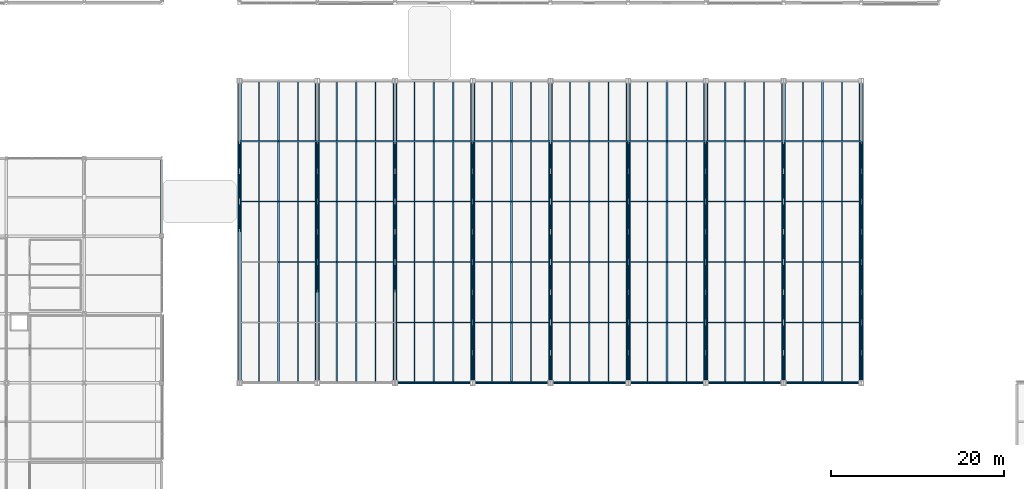
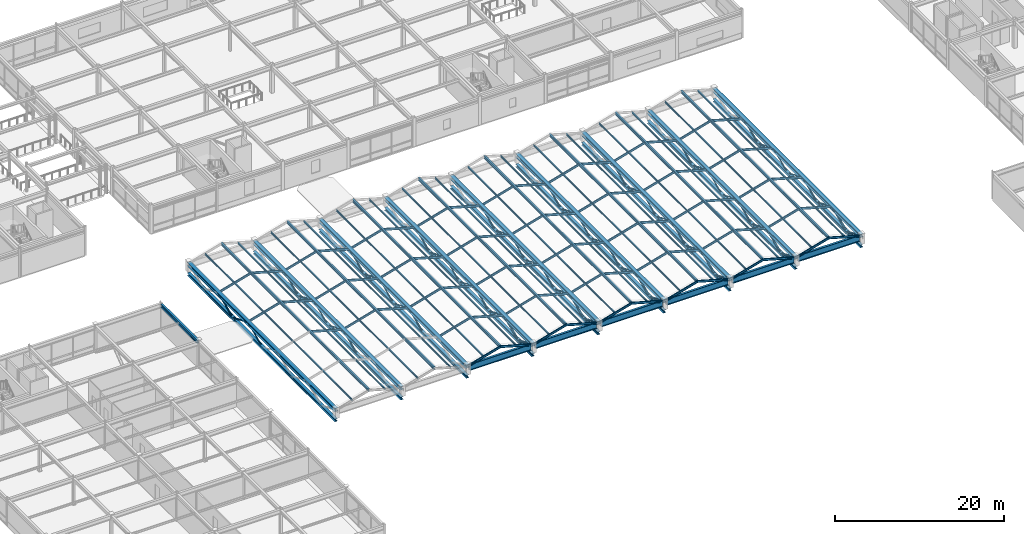
# One storey, part 32 of 108: 156 members, 25 beams.
"""IFC4 building model written with IfcOpenShell, lengths in metres."""

from ifc_helpers import new_model, si_unit, direction, frame, origin, origin_2d, place, context, subcontext, project, spatial, hollow_circle, i_section, extrude, material, material_profile, profile_set, type_object, element, save


model = new_model("IFC4")

# Units and contexts
model_context = context("Model", 3, precision=1e-05, world=origin(), true_north=direction((0.0, 1.0)))
body_context = subcontext(model_context, "Body", "Model", "MODEL_VIEW")
ifc_project = project(units=[si_unit("LENGTHUNIT", "METRE"), si_unit("AREAUNIT", "SQUARE_METRE"), si_unit("VOLUMEUNIT", "CUBIC_METRE"), si_unit("PLANEANGLEUNIT", "RADIAN"), si_unit("MASSUNIT", "GRAM", prefix="KILO")], contexts=[model_context])

# Site, building, storey
site_placement = place(None, origin())
site = spatial("IfcSite", under=ifc_project, at=site_placement, CompositionType="ELEMENT")
building_placement = place(site_placement, origin())
building = spatial("IfcBuilding", under=site, at=building_placement, Name="Suzunagisa Mobility Hub", CompositionType="ELEMENT")
storey_placement = place(building_placement, frame((0.0, 0.0, 9.300048828125)))
storey = spatial("IfcBuildingStorey", under=building, at=storey_placement, Name="L02", CompositionType="ELEMENT", Elevation=9.300048828125)

# Members
ifc_material_1 = material(Name="Steel SN490B", Category="steel")
ifc_material_profile_1 = material_profile(ifc_material_1, hollow_circle(Radius=0.108154296875, WallThickness=0.00830078125, at=origin_2d()), Name="CHS-216.3x8.2")
ifc_profile_set_1 = profile_set([ifc_material_profile_1], Name="Steel SN490B")
member_type_1 = type_object("IfcMemberType", Name="Roof Truss and Brace Member MB-01 CHS-216.3x8.2", PredefinedType="STRUT", material=ifc_profile_set_1)
for number, where, z_axis, x_axis, name in (
    (1, (45.0, 57.0, 1.0537109375), (0.0, 0.919145030018, -0.393919298579), (-1.0, 0.0, 0.0), "Secondary Sub-Truss Web 7"),
    (2, (45.0, 60.5, -0.4462890625), (0.0, 0.919145030018, 0.393919298579), (-1.0, 0.0, 0.0), "Secondary Sub-Truss Web 8"),
    (3, (54.0, 46.5, -0.4462890625), (0.0, 0.919145030018, 0.393919298579), (-1.0, 0.0, 0.0), "Secondary Sub-Truss Web 14"),
    (4, (54.0, 57.0, 1.0537109375), (0.0, 0.919145030018, -0.393919298579), (-1.0, 0.0, 0.0), "Secondary Sub-Truss Web 17"),
    (5, (54.0, 60.5, -0.4462890625), (0.0, 0.919145030018, 0.393919298579), (-1.0, 0.0, 0.0), "Secondary Sub-Truss Web 18"),
    (6, (63.0, 46.5, -0.4462890625), (0.0, 0.919145030018, 0.393919298579), (-1.0, 0.0, 0.0), "Secondary Sub-Truss Web 24"),
    (7, (63.0, 57.0, 1.0537109375), (0.0, 0.919145030018, -0.393919298579), (-1.0, 0.0, 0.0), "Secondary Sub-Truss Web 27"),
    (8, (63.0, 60.5, -0.4462890625), (0.0, 0.919145030018, 0.393919298579), (-1.0, 0.0, 0.0), "Secondary Sub-Truss Web 28"),
    (9, (72.0, 43.0, 1.0537109375), (0.0, 0.919145030018, -0.393919298579), (-1.0, 0.0, 0.0), "Secondary Sub-Truss Web 33"),
    (10, (72.0, 46.5, -0.4462890625), (0.0, 0.919145030018, 0.393919298579), (-1.0, 0.0, 0.0), "Secondary Sub-Truss Web 34"),
    (11, (72.0, 57.0, 1.0537109375), (0.0, 0.919145030018, -0.393919298579), (-1.0, 0.0, 0.0), "Secondary Sub-Truss Web 37"),
    (12, (72.0, 60.5, -0.4462890625), (0.0, 0.919145030018, 0.393919298579), (-1.0, 0.0, 0.0), "Secondary Sub-Truss Web 38"),
    (13, (81.0, 43.0, 1.0537109375), (0.0, 0.919145030018, -0.393919298579), (-1.0, 0.0, 0.0), "Secondary Sub-Truss Web 43"),
    (14, (81.0, 46.5, -0.4462890625), (0.0, 0.919145030018, 0.393919298579), (-1.0, 0.0, 0.0), "Secondary Sub-Truss Web 44"),
    (15, (81.0, 57.0, 1.0537109375), (0.0, 0.919145030018, -0.393919298579), (-1.0, 0.0, 0.0), "Secondary Sub-Truss Web 47"),
    (16, (81.0, 60.5, -0.4462890625), (0.0, 0.919145030018, 0.393919298579), (-1.0, 0.0, 0.0), "Secondary Sub-Truss Web 48"),
    (17, (90.0, 43.0, 1.0537109375), (0.0, 0.919145030018, -0.393919298579), (-1.0, 0.0, 0.0), "Secondary Sub-Truss Web 53"),
    (18, (90.0, 46.5, -0.4462890625), (0.0, 0.919145030018, 0.393919298579), (-1.0, 0.0, 0.0), "Secondary Sub-Truss Web 54"),
    (19, (90.0, 57.0, 1.0537109375), (0.0, 0.919145030018, -0.393919298579), (-1.0, 0.0, 0.0), "Secondary Sub-Truss Web 57"),
    (20, (90.0, 60.5, -0.4462890625), (0.0, 0.919145030018, 0.393919298579), (-1.0, 0.0, 0.0), "Secondary Sub-Truss Web 58"),
    (21, (99.0, 43.0, 1.0537109375), (0.0, 0.919145030018, -0.393919298579), (-1.0, 0.0, 0.0), "Secondary Sub-Truss Web 63"),
    (22, (99.0, 46.5, -0.4462890625), (0.0, 0.919145030018, 0.393919298579), (-1.0, 0.0, 0.0), "Secondary Sub-Truss Web 64"),
    (23, (99.0, 57.0, 1.0537109375), (0.0, 0.919145030018, -0.393919298579), (-1.0, 0.0, 0.0), "Secondary Sub-Truss Web 67"),
    (24, (99.0, 60.5, -0.4462890625), (0.0, 0.919145030018, 0.393919298579), (-1.0, 0.0, 0.0), "Secondary Sub-Truss Web 68"),
    (25, (108.0, 43.0, 1.0537109375), (0.0, 0.919145030018, -0.393919298579), (-1.0, 0.0, 0.0), "Secondary Sub-Truss Web 73"),
    (26, (108.0, 46.5, -0.4462890625), (0.0, 0.919145030018, 0.393919298579), (-1.0, 0.0, 0.0), "Secondary Sub-Truss Web 74"),
    (27, (108.0, 57.0, 1.0537109375), (0.0, 0.919145030018, -0.393919298579), (-1.0, 0.0, 0.0), "Secondary Sub-Truss Web 77"),
    (28, (108.0, 60.5, -0.4462890625), (0.0, 0.919145030018, 0.393919298579), (-1.0, 0.0, 0.0), "Secondary Sub-Truss Web 78"),
    (29, (117.0, 43.0, 1.0537109375), (0.0, 0.919145030018, -0.393919298579), (-1.0, 0.0, 0.0), "Secondary Sub-Truss Web 83"),
    (30, (117.0, 46.5, -0.4462890625), (0.0, 0.919145030018, 0.393919298579), (-1.0, 0.0, 0.0), "Secondary Sub-Truss Web 84"),
    (31, (117.0, 57.0, 1.0537109375), (0.0, 0.919145030018, -0.393919298579), (-1.0, 0.0, 0.0), "Secondary Sub-Truss Web 87"),
    (32, (117.0, 60.5, -0.4462890625), (0.0, 0.919145030018, 0.393919298579), (-1.0, 0.0, 0.0), "Secondary Sub-Truss Web 88"),
):
    element("IfcMember", number, at=place(storey_placement, frame(where, z_axis=z_axis, x_axis=x_axis)), inside=storey, type_object=member_type_1, Name=name, PredefinedType="STRUT", context=body_context, shape_type="SweptSolid", body=[
        extrude(hollow_circle(Radius=0.108154296875, WallThickness=0.00830078125, at=origin_2d()), origin(), (0.0, 0.0, 1.0), 3.807861328125),
    ])
ifc_material_profile_2 = material_profile(ifc_material_1, hollow_circle(Radius=0.1337890625, WallThickness=0.00927734375, at=origin_2d()), Name="CHS-267.4x9.3")
ifc_profile_set_2 = profile_set([ifc_material_profile_2], Name="Steel SN490B")
member_type_2 = type_object("IfcMemberType", Name="Roof Truss and Brace Member MB-02 CHS-267.4x9.3", PredefinedType="STRUT", material=ifc_profile_set_2)
for number, where, z_axis, x_axis, name in (
    (33, (72.0, 36.0, 1.0537109375), (0.0, 0.919145030018, -0.393919298579), (-1.0, 0.0, 0.0), "Secondary Sub-Truss Web 31"),
    (34, (72.0, 39.5, -0.4462890625), (0.0, 0.919145030018, 0.393919298579), (-1.0, 0.0, 0.0), "Secondary Sub-Truss Web 32"),
    (35, (81.0, 36.0, 1.0537109375), (0.0, 0.919145030018, -0.393919298579), (-1.0, 0.0, 0.0), "Secondary Sub-Truss Web 41"),
    (36, (81.0, 39.5, -0.4462890625), (0.0, 0.919145030018, 0.393919298579), (-1.0, 0.0, 0.0), "Secondary Sub-Truss Web 42"),
    (37, (90.0, 36.0, 1.0537109375), (0.0, 0.919145030018, -0.393919298579), (-1.0, 0.0, 0.0), "Secondary Sub-Truss Web 51"),
    (38, (90.0, 39.5, -0.4462890625), (0.0, 0.919145030018, 0.393919298579), (-1.0, 0.0, 0.0), "Secondary Sub-Truss Web 52"),
    (39, (99.0, 36.0, 1.0537109375), (0.0, 0.919145030018, -0.393919298579), (-1.0, 0.0, 0.0), "Secondary Sub-Truss Web 61"),
    (40, (99.0, 39.5, -0.4462890625), (0.0, 0.919145030018, 0.393919298579), (-1.0, 0.0, 0.0), "Secondary Sub-Truss Web 62"),
    (41, (108.0, 36.0, 1.0537109375), (0.0, 0.919145030018, -0.393919298579), (-1.0, 0.0, 0.0), "Secondary Sub-Truss Web 71"),
    (42, (108.0, 39.5, -0.4462890625), (0.0, 0.919145030018, 0.393919298579), (-1.0, 0.0, 0.0), "Secondary Sub-Truss Web 72"),
    (43, (117.0, 36.0, 1.0537109375), (0.0, 0.919145030018, -0.393919298579), (-1.0, 0.0, 0.0), "Secondary Sub-Truss Web 81"),
    (44, (117.0, 39.5, -0.4462890625), (0.0, 0.919145030018, 0.393919298579), (-1.0, 0.0, 0.0), "Secondary Sub-Truss Web 82"),
):
    element("IfcMember", number, at=place(storey_placement, frame(where, z_axis=z_axis, x_axis=x_axis)), inside=storey, type_object=member_type_2, Name=name, PredefinedType="STRUT", context=body_context, shape_type="SweptSolid", body=[
        extrude(hollow_circle(Radius=0.1337890625, WallThickness=0.00927734375, at=origin_2d()), origin(), (0.0, 0.0, 1.0), 3.807861328125),
    ])
ifc_material_profile_3 = material_profile(ifc_material_1, i_section(OverallWidth=0.199951171875, OverallDepth=0.39990234375, WebThickness=0.008056640625, FlangeThickness=0.012939453125, FilletRadius=0.012939453125, at=origin_2d()), Name="H-400x200x8x13")
ifc_profile_set_3 = profile_set([ifc_material_profile_3], Name="Steel SN490B")
member_type_3 = type_object("IfcMemberType", Name="Roof Truss and Brace Member MB-05 H-400x200x8x13", PredefinedType="CHORD", material=ifc_profile_set_3)
for number, where, z_axis, x_axis, name in (
    (45, (49.5, 36.0, 2.332763671875), (0.0, 1.0, 0.0), (-1.0, 0.0, 0.0), "Folded-Plate Roof Truss Ridge Chord 1"),
    (46, (58.5, 36.0, 2.332763671875), (0.0, 1.0, 0.0), (-1.0, 0.0, 0.0), "Folded-Plate Roof Truss Ridge Chord 2"),
    (47, (67.5, 36.0, 2.332763671875), (0.0, 1.0, 0.0), (-1.0, 0.0, 0.0), "Folded-Plate Roof Truss Ridge Chord 3"),
    (48, (76.5, 36.0, 2.332763671875), (0.0, 1.0, 0.0), (-1.0, 0.0, 0.0), "Folded-Plate Roof Truss Ridge Chord 4"),
    (49, (85.5, 36.0, 2.332763671875), (0.0, 1.0, 0.0), (-1.0, 0.0, 0.0), "Folded-Plate Roof Truss Ridge Chord 5"),
    (50, (94.5, 36.0, 2.332763671875), (0.0, 1.0, 0.0), (-1.0, 0.0, 0.0), "Folded-Plate Roof Truss Ridge Chord 6"),
    (51, (103.5, 36.0, 2.332763671875), (0.0, 1.0, 0.0), (-1.0, 0.0, 0.0), "Folded-Plate Roof Truss Ridge Chord 7"),
    (52, (112.5, 36.0, 2.332763671875), (0.0, 1.0, 0.0), (-1.0, 0.0, 0.0), "Folded-Plate Roof Truss Ridge Chord 8"),
):
    element("IfcMember", number, at=place(storey_placement, frame(where, z_axis=z_axis, x_axis=x_axis)), inside=storey, type_object=member_type_3, Name=name, PredefinedType="CHORD", context=body_context, shape_type="SweptSolid", body=[
        extrude(i_section(OverallWidth=0.199951171875, OverallDepth=0.39990234375, WebThickness=0.008056640625, FlangeThickness=0.012939453125, FilletRadius=0.012939453125, at=origin_2d()), origin(), (0.0, 0.0, 1.0), 35.0),
    ])
ifc_material_2 = material(Name="Steel SN400B", Category="steel")
ifc_material_profile_4 = material_profile(ifc_material_2, i_section(OverallWidth=0.14990234375, OverallDepth=0.300048828125, WebThickness=0.006591796875, FlangeThickness=0.009033203125, FilletRadius=0.008056640625, at=origin_2d()), Name="H-300x150x6.5x9")
ifc_profile_set_4 = profile_set([ifc_material_profile_4], Name="Steel SN400B")
member_type_4 = type_object("IfcMemberType", Name="Roof Truss and Brace Member MB-08 H-300x150x6.5x9", PredefinedType="RAFTER", material=ifc_profile_set_4)
for number, where, z_axis, x_axis, name in (
    (53, (54.0, 50.0, 1.0537109375), (-0.961899182139, 0.0, 0.273404395357), (0.0, -1.0, 0.0), "Secondary Roof Sub-Rafter 97"),
    (54, (45.0, 57.0, 1.0537109375), (0.961899182139, 0.0, 0.273404395357), (0.0, 1.0, 0.0), "Secondary Roof Sub-Rafter 98"),
    (55, (54.0, 57.0, 1.0537109375), (-0.961899182139, 0.0, 0.273404395357), (0.0, -1.0, 0.0), "Secondary Roof Sub-Rafter 99"),
    (56, (45.0, 64.0, 1.0537109375), (0.961899182139, 0.0, 0.273404395357), (0.0, 1.0, 0.0), "Secondary Roof Sub-Rafter 100"),
    (57, (54.0, 64.0, 1.0537109375), (-0.961899182139, 0.0, 0.273404395357), (0.0, -1.0, 0.0), "Secondary Roof Sub-Rafter 101"),
    (58, (54.0, 50.0, 1.0537109375), (0.961899182139, 0.0, 0.273404395357), (0.0, 1.0, 0.0), "Secondary Roof Sub-Rafter 111"),
    (59, (63.0, 50.0, 1.0537109375), (-0.961899182139, 0.0, 0.273404395357), (0.0, -1.0, 0.0), "Secondary Roof Sub-Rafter 112"),
    (60, (54.0, 57.0, 1.0537109375), (0.961899182139, 0.0, 0.273404395357), (0.0, 1.0, 0.0), "Secondary Roof Sub-Rafter 113"),
    (61, (63.0, 57.0, 1.0537109375), (-0.961899182139, 0.0, 0.273404395357), (0.0, -1.0, 0.0), "Secondary Roof Sub-Rafter 114"),
    (62, (54.0, 64.0, 1.0537109375), (0.961899182139, 0.0, 0.273404395357), (0.0, 1.0, 0.0), "Secondary Roof Sub-Rafter 115"),
    (63, (63.0, 64.0, 1.0537109375), (-0.961899182139, 0.0, 0.273404395357), (0.0, -1.0, 0.0), "Secondary Roof Sub-Rafter 116"),
    (64, (63.0, 36.0, 1.0537109375), (0.961899182139, 0.0, 0.273404395357), (0.0, 1.0, 0.0), "Secondary Roof Sub-Rafter 122"),
    (65, (72.0, 36.0, 1.0537109375), (-0.961899182139, 0.0, 0.273404395357), (0.0, -1.0, 0.0), "Secondary Roof Sub-Rafter 123"),
    (66, (63.0, 43.0, 1.0537109375), (0.961899182139, 0.0, 0.273404395357), (0.0, 1.0, 0.0), "Secondary Roof Sub-Rafter 124"),
    (67, (72.0, 43.0, 1.0537109375), (-0.961899182139, 0.0, 0.273404395357), (0.0, -1.0, 0.0), "Secondary Roof Sub-Rafter 125"),
    (68, (63.0, 50.0, 1.0537109375), (0.961899182139, 0.0, 0.273404395357), (0.0, 1.0, 0.0), "Secondary Roof Sub-Rafter 126"),
    (69, (72.0, 50.0, 1.0537109375), (-0.961899182139, 0.0, 0.273404395357), (0.0, -1.0, 0.0), "Secondary Roof Sub-Rafter 127"),
    (70, (63.0, 57.0, 1.0537109375), (0.961899182139, 0.0, 0.273404395357), (0.0, 1.0, 0.0), "Secondary Roof Sub-Rafter 128"),
    (71, (72.0, 57.0, 1.0537109375), (-0.961899182139, 0.0, 0.273404395357), (0.0, -1.0, 0.0), "Secondary Roof Sub-Rafter 129"),
    (72, (63.0, 64.0, 1.0537109375), (0.961899182139, 0.0, 0.273404395357), (0.0, 1.0, 0.0), "Secondary Roof Sub-Rafter 130"),
    (73, (72.0, 64.0, 1.0537109375), (-0.961899182139, 0.0, 0.273404395357), (0.0, -1.0, 0.0), "Secondary Roof Sub-Rafter 131"),
    (74, (72.0, 36.0, 1.0537109375), (0.961899182139, 0.0, 0.273404395357), (0.0, 1.0, 0.0), "Secondary Roof Sub-Rafter 137"),
    (75, (81.0, 36.0, 1.0537109375), (-0.961899182139, 0.0, 0.273404395357), (0.0, -1.0, 0.0), "Secondary Roof Sub-Rafter 138"),
    (76, (72.0, 43.0, 1.0537109375), (0.961899182139, 0.0, 0.273404395357), (0.0, 1.0, 0.0), "Secondary Roof Sub-Rafter 139"),
    (77, (81.0, 43.0, 1.0537109375), (-0.961899182139, 0.0, 0.273404395357), (0.0, -1.0, 0.0), "Secondary Roof Sub-Rafter 140"),
    (78, (72.0, 50.0, 1.0537109375), (0.961899182139, 0.0, 0.273404395357), (0.0, 1.0, 0.0), "Secondary Roof Sub-Rafter 141"),
    (79, (81.0, 50.0, 1.0537109375), (-0.961899182139, 0.0, 0.273404395357), (0.0, -1.0, 0.0), "Secondary Roof Sub-Rafter 142"),
    (80, (72.0, 57.0, 1.0537109375), (0.961899182139, 0.0, 0.273404395357), (0.0, 1.0, 0.0), "Secondary Roof Sub-Rafter 143"),
    (81, (81.0, 57.0, 1.0537109375), (-0.961899182139, 0.0, 0.273404395357), (0.0, -1.0, 0.0), "Secondary Roof Sub-Rafter 144"),
    (82, (72.0, 64.0, 1.0537109375), (0.961899182139, 0.0, 0.273404395357), (0.0, 1.0, 0.0), "Secondary Roof Sub-Rafter 145"),
    (83, (81.0, 64.0, 1.0537109375), (-0.961899182139, 0.0, 0.273404395357), (0.0, -1.0, 0.0), "Secondary Roof Sub-Rafter 146"),
    (84, (81.0, 36.0, 1.0537109375), (0.961899182139, 0.0, 0.273404395357), (0.0, 1.0, 0.0), "Secondary Roof Sub-Rafter 152"),
    (85, (90.0, 36.0, 1.0537109375), (-0.961899182139, 0.0, 0.273404395357), (0.0, -1.0, 0.0), "Secondary Roof Sub-Rafter 153"),
    (86, (81.0, 43.0, 1.0537109375), (0.961899182139, 0.0, 0.273404395357), (0.0, 1.0, 0.0), "Secondary Roof Sub-Rafter 154"),
    (87, (90.0, 43.0, 1.0537109375), (-0.961899182139, 0.0, 0.273404395357), (0.0, -1.0, 0.0), "Secondary Roof Sub-Rafter 155"),
    (88, (81.0, 50.0, 1.0537109375), (0.961899182139, 0.0, 0.273404395357), (0.0, 1.0, 0.0), "Secondary Roof Sub-Rafter 156"),
    (89, (90.0, 50.0, 1.0537109375), (-0.961899182139, 0.0, 0.273404395357), (0.0, -1.0, 0.0), "Secondary Roof Sub-Rafter 157"),
    (90, (81.0, 57.0, 1.0537109375), (0.961899182139, 0.0, 0.273404395357), (0.0, 1.0, 0.0), "Secondary Roof Sub-Rafter 158"),
    (91, (90.0, 57.0, 1.0537109375), (-0.961899182139, 0.0, 0.273404395357), (0.0, -1.0, 0.0), "Secondary Roof Sub-Rafter 159"),
    (92, (81.0, 64.0, 1.0537109375), (0.961899182139, 0.0, 0.273404395357), (0.0, 1.0, 0.0), "Secondary Roof Sub-Rafter 160"),
    (93, (90.0, 64.0, 1.0537109375), (-0.961899182139, 0.0, 0.273404395357), (0.0, -1.0, 0.0), "Secondary Roof Sub-Rafter 161"),
    (94, (90.0, 36.0, 1.0537109375), (0.961899182139, 0.0, 0.273404395357), (0.0, 1.0, 0.0), "Secondary Roof Sub-Rafter 167"),
    (95, (99.0, 36.0, 1.0537109375), (-0.961899182139, 0.0, 0.273404395357), (0.0, -1.0, 0.0), "Secondary Roof Sub-Rafter 168"),
    (96, (90.0, 43.0, 1.0537109375), (0.961899182139, 0.0, 0.273404395357), (0.0, 1.0, 0.0), "Secondary Roof Sub-Rafter 169"),
    (97, (99.0, 43.0, 1.0537109375), (-0.961899182139, 0.0, 0.273404395357), (0.0, -1.0, 0.0), "Secondary Roof Sub-Rafter 170"),
    (98, (90.0, 50.0, 1.0537109375), (0.961899182139, 0.0, 0.273404395357), (0.0, 1.0, 0.0), "Secondary Roof Sub-Rafter 171"),
    (99, (99.0, 50.0, 1.0537109375), (-0.961899182139, 0.0, 0.273404395357), (0.0, -1.0, 0.0), "Secondary Roof Sub-Rafter 172"),
    (100, (90.0, 57.0, 1.0537109375), (0.961899182139, 0.0, 0.273404395357), (0.0, 1.0, 0.0), "Secondary Roof Sub-Rafter 173"),
    (101, (99.0, 57.0, 1.0537109375), (-0.961899182139, 0.0, 0.273404395357), (0.0, -1.0, 0.0), "Secondary Roof Sub-Rafter 174"),
    (102, (90.0, 64.0, 1.0537109375), (0.961899182139, 0.0, 0.273404395357), (0.0, 1.0, 0.0), "Secondary Roof Sub-Rafter 175"),
    (103, (99.0, 64.0, 1.0537109375), (-0.961899182139, 0.0, 0.273404395357), (0.0, -1.0, 0.0), "Secondary Roof Sub-Rafter 176"),
    (104, (99.0, 36.0, 1.0537109375), (0.961899182139, 0.0, 0.273404395357), (0.0, 1.0, 0.0), "Secondary Roof Sub-Rafter 182"),
    (105, (108.0, 36.0, 1.0537109375), (-0.961899182139, 0.0, 0.273404395357), (0.0, -1.0, 0.0), "Secondary Roof Sub-Rafter 183"),
    (106, (99.0, 43.0, 1.0537109375), (0.961899182139, 0.0, 0.273404395357), (0.0, 1.0, 0.0), "Secondary Roof Sub-Rafter 184"),
    (107, (108.0, 43.0, 1.0537109375), (-0.961899182139, 0.0, 0.273404395357), (0.0, -1.0, 0.0), "Secondary Roof Sub-Rafter 185"),
    (108, (99.0, 50.0, 1.0537109375), (0.961899182139, 0.0, 0.273404395357), (0.0, 1.0, 0.0), "Secondary Roof Sub-Rafter 186"),
    (109, (108.0, 50.0, 1.0537109375), (-0.961899182139, 0.0, 0.273404395357), (0.0, -1.0, 0.0), "Secondary Roof Sub-Rafter 187"),
    (110, (99.0, 57.0, 1.0537109375), (0.961899182139, 0.0, 0.273404395357), (0.0, 1.0, 0.0), "Secondary Roof Sub-Rafter 188"),
    (111, (108.0, 57.0, 1.0537109375), (-0.961899182139, 0.0, 0.273404395357), (0.0, -1.0, 0.0), "Secondary Roof Sub-Rafter 189"),
    (112, (99.0, 64.0, 1.0537109375), (0.961899182139, 0.0, 0.273404395357), (0.0, 1.0, 0.0), "Secondary Roof Sub-Rafter 190"),
    (113, (108.0, 64.0, 1.0537109375), (-0.961899182139, 0.0, 0.273404395357), (0.0, -1.0, 0.0), "Secondary Roof Sub-Rafter 191"),
    (114, (108.0, 36.0, 1.0537109375), (0.961899182139, 0.0, 0.273404395357), (0.0, 1.0, 0.0), "Secondary Roof Sub-Rafter 197"),
    (115, (117.0, 36.0, 1.0537109375), (-0.961899182139, 0.0, 0.273404395357), (0.0, -1.0, 0.0), "Secondary Roof Sub-Rafter 198"),
    (116, (108.0, 43.0, 1.0537109375), (0.961899182139, 0.0, 0.273404395357), (0.0, 1.0, 0.0), "Secondary Roof Sub-Rafter 199"),
    (117, (117.0, 43.0, 1.0537109375), (-0.961899182139, 0.0, 0.273404395357), (0.0, -1.0, 0.0), "Secondary Roof Sub-Rafter 200"),
    (118, (108.0, 50.0, 1.0537109375), (0.961899182139, 0.0, 0.273404395357), (0.0, 1.0, 0.0), "Secondary Roof Sub-Rafter 201"),
    (119, (117.0, 50.0, 1.0537109375), (-0.961899182139, 0.0, 0.273404395357), (0.0, -1.0, 0.0), "Secondary Roof Sub-Rafter 202"),
    (120, (108.0, 57.0, 1.0537109375), (0.961899182139, 0.0, 0.273404395357), (0.0, 1.0, 0.0), "Secondary Roof Sub-Rafter 203"),
    (121, (117.0, 57.0, 1.0537109375), (-0.961899182139, 0.0, 0.273404395357), (0.0, -1.0, 0.0), "Secondary Roof Sub-Rafter 204"),
    (122, (108.0, 64.0, 1.0537109375), (0.961899182139, 0.0, 0.273404395357), (0.0, 1.0, 0.0), "Secondary Roof Sub-Rafter 205"),
    (123, (117.0, 64.0, 1.0537109375), (-0.961899182139, 0.0, 0.273404395357), (0.0, -1.0, 0.0), "Secondary Roof Sub-Rafter 206"),
):
    element("IfcMember", number, at=place(storey_placement, frame(where, z_axis=z_axis, x_axis=x_axis)), inside=storey, type_object=member_type_4, Name=name, PredefinedType="RAFTER", context=body_context, shape_type="SweptSolid", body=[
        extrude(i_section(OverallWidth=0.14990234375, OverallDepth=0.300048828125, WebThickness=0.006591796875, FlangeThickness=0.009033203125, FilletRadius=0.008056640625, at=origin_2d()), origin(), (0.0, 0.0, 1.0), 4.67822265625),
    ])
ifc_material_profile_5 = material_profile(ifc_material_2, hollow_circle(Radius=0.08251953125, WallThickness=0.007080078125, at=origin_2d()), Name="CHS-165.2x7.1")
ifc_profile_set_5 = profile_set([ifc_material_profile_5], Name="Steel SN400B")
member_type_5 = type_object("IfcMemberType", Name="Roof Truss and Brace Member MB-09 CHS-165.2x7.1", PredefinedType="STRUT", material=ifc_profile_set_5)
for number, where, z_axis, x_axis, name in (
    (124, (45.0, 53.5, -0.4462890625), (0.0, 0.919145030018, 0.393919298579), (-1.0, 0.0, 0.0), "Secondary Sub-Truss Web 6"),
    (125, (54.0, 50.0, 1.0537109375), (0.0, 0.919145030018, -0.393919298579), (-1.0, 0.0, 0.0), "Secondary Sub-Truss Web 15"),
    (126, (54.0, 53.5, -0.4462890625), (0.0, 0.919145030018, 0.393919298579), (-1.0, 0.0, 0.0), "Secondary Sub-Truss Web 16"),
    (127, (63.0, 50.0, 1.0537109375), (0.0, 0.919145030018, -0.393919298579), (-1.0, 0.0, 0.0), "Secondary Sub-Truss Web 25"),
    (128, (63.0, 53.5, -0.4462890625), (0.0, 0.919145030018, 0.393919298579), (-1.0, 0.0, 0.0), "Secondary Sub-Truss Web 26"),
    (129, (72.0, 50.0, 1.0537109375), (0.0, 0.919145030018, -0.393919298579), (-1.0, 0.0, 0.0), "Secondary Sub-Truss Web 35"),
    (130, (72.0, 53.5, -0.4462890625), (0.0, 0.919145030018, 0.393919298579), (-1.0, 0.0, 0.0), "Secondary Sub-Truss Web 36"),
    (131, (81.0, 50.0, 1.0537109375), (0.0, 0.919145030018, -0.393919298579), (-1.0, 0.0, 0.0), "Secondary Sub-Truss Web 45"),
    (132, (81.0, 53.5, -0.4462890625), (0.0, 0.919145030018, 0.393919298579), (-1.0, 0.0, 0.0), "Secondary Sub-Truss Web 46"),
    (133, (90.0, 50.0, 1.0537109375), (0.0, 0.919145030018, -0.393919298579), (-1.0, 0.0, 0.0), "Secondary Sub-Truss Web 55"),
    (134, (90.0, 53.5, -0.4462890625), (0.0, 0.919145030018, 0.393919298579), (-1.0, 0.0, 0.0), "Secondary Sub-Truss Web 56"),
    (135, (99.0, 50.0, 1.0537109375), (0.0, 0.919145030018, -0.393919298579), (-1.0, 0.0, 0.0), "Secondary Sub-Truss Web 65"),
    (136, (99.0, 53.5, -0.4462890625), (0.0, 0.919145030018, 0.393919298579), (-1.0, 0.0, 0.0), "Secondary Sub-Truss Web 66"),
    (137, (108.0, 50.0, 1.0537109375), (0.0, 0.919145030018, -0.393919298579), (-1.0, 0.0, 0.0), "Secondary Sub-Truss Web 75"),
    (138, (108.0, 53.5, -0.4462890625), (0.0, 0.919145030018, 0.393919298579), (-1.0, 0.0, 0.0), "Secondary Sub-Truss Web 76"),
    (139, (117.0, 50.0, 1.0537109375), (0.0, 0.919145030018, -0.393919298579), (-1.0, 0.0, 0.0), "Secondary Sub-Truss Web 85"),
    (140, (117.0, 53.5, -0.4462890625), (0.0, 0.919145030018, 0.393919298579), (-1.0, 0.0, 0.0), "Secondary Sub-Truss Web 86"),
):
    element("IfcMember", number, at=place(storey_placement, frame(where, z_axis=z_axis, x_axis=x_axis)), inside=storey, type_object=member_type_5, Name=name, PredefinedType="STRUT", context=body_context, shape_type="SweptSolid", body=[
        extrude(hollow_circle(Radius=0.08251953125, WallThickness=0.007080078125, at=origin_2d()), origin(), (0.0, 0.0, 1.0), 3.807861328125),
    ])
ifc_material_profile_6 = material_profile(ifc_material_2, i_section(OverallWidth=0.125, OverallDepth=0.25, WebThickness=0.006103515625, FlangeThickness=0.009033203125, FilletRadius=0.008056640625, at=origin_2d()), Name="H-250x125x6x9")
ifc_profile_set_6 = profile_set([ifc_material_profile_6], Name="Steel SN400B")
member_type_6 = type_object("IfcMemberType", Name="Roof Truss and Brace Member MB-10 H-250x125x6x9", PredefinedType="PURLIN", material=ifc_profile_set_6)
for number, where, z_axis, x_axis, name in (
    (141, (47.25, 36.0, 1.6533203125), (0.0, 1.0, 0.0), (-1.0, 0.0, 0.0), "Folded-Plate Roof Purlin 104"),
    (142, (51.75, 36.0, 1.6533203125), (0.0, 1.0, 0.0), (-1.0, 0.0, 0.0), "Folded-Plate Roof Purlin 105"),
    (143, (56.25, 36.0, 1.6533203125), (0.0, 1.0, 0.0), (-1.0, 0.0, 0.0), "Folded-Plate Roof Purlin 119"),
    (144, (60.75, 36.0, 1.6533203125), (0.0, 1.0, 0.0), (-1.0, 0.0, 0.0), "Folded-Plate Roof Purlin 120"),
    (145, (65.25, 36.0, 1.6533203125), (0.0, 1.0, 0.0), (-1.0, 0.0, 0.0), "Folded-Plate Roof Purlin 134"),
    (146, (69.75, 36.0, 1.6533203125), (0.0, 1.0, 0.0), (-1.0, 0.0, 0.0), "Folded-Plate Roof Purlin 135"),
    (147, (74.25, 36.0, 1.6533203125), (0.0, 1.0, 0.0), (-1.0, 0.0, 0.0), "Folded-Plate Roof Purlin 149"),
    (148, (78.75, 36.0, 1.6533203125), (0.0, 1.0, 0.0), (-1.0, 0.0, 0.0), "Folded-Plate Roof Purlin 150"),
    (149, (83.25, 36.0, 1.6533203125), (0.0, 1.0, 0.0), (-1.0, 0.0, 0.0), "Folded-Plate Roof Purlin 164"),
    (150, (87.75, 36.0, 1.6533203125), (0.0, 1.0, 0.0), (-1.0, 0.0, 0.0), "Folded-Plate Roof Purlin 165"),
    (151, (92.25, 36.0, 1.6533203125), (0.0, 1.0, 0.0), (-1.0, 0.0, 0.0), "Folded-Plate Roof Purlin 179"),
    (152, (96.75, 36.0, 1.6533203125), (0.0, 1.0, 0.0), (-1.0, 0.0, 0.0), "Folded-Plate Roof Purlin 180"),
    (153, (101.25, 36.0, 1.6533203125), (0.0, 1.0, 0.0), (-1.0, 0.0, 0.0), "Folded-Plate Roof Purlin 194"),
    (154, (105.75, 36.0, 1.6533203125), (0.0, 1.0, 0.0), (-1.0, 0.0, 0.0), "Folded-Plate Roof Purlin 195"),
    (155, (110.25, 36.0, 1.6533203125), (0.0, 1.0, 0.0), (-1.0, 0.0, 0.0), "Folded-Plate Roof Purlin 209"),
    (156, (114.75, 36.0, 1.6533203125), (0.0, 1.0, 0.0), (-1.0, 0.0, 0.0), "Folded-Plate Roof Purlin 210"),
):
    element("IfcMember", number, at=place(storey_placement, frame(where, z_axis=z_axis, x_axis=x_axis)), inside=storey, type_object=member_type_6, Name=name, PredefinedType="PURLIN", context=body_context, shape_type="SweptSolid", body=[
        extrude(i_section(OverallWidth=0.125, OverallDepth=0.25, WebThickness=0.006103515625, FlangeThickness=0.009033203125, FilletRadius=0.008056640625, at=origin_2d()), origin(), (0.0, 0.0, 1.0), 35.0),
    ])

# Beams
ifc_material_profile_7 = material_profile(ifc_material_1, i_section(OverallWidth=0.300048828125, OverallDepth=0.89990234375, WebThickness=0.01611328125, FlangeThickness=0.028076171875, FilletRadius=0.01806640625, at=origin_2d()), Name="H-900x300x16x28")
ifc_profile_set_7 = profile_set([ifc_material_profile_7], Name="Steel SN490B")
beam_type_1 = type_object("IfcBeamType", Name="Steel Beam BM-01 H-900x300x16x28", PredefinedType="BEAM", material=ifc_profile_set_7)
for number, where, z_axis, x_axis, name in (
    (157, (63.300048828125, 36.0, 0.863037109375), (1.0, 0.0, 0.0), (0.0, 1.0, 0.0), "L02 Concourse Eave Girder EG-2214"),
    (158, (72.300048828125, 36.0, 0.863037109375), (1.0, 0.0, 0.0), (0.0, 1.0, 0.0), "L02 Concourse Eave Girder EG-2215"),
    (159, (81.300048828125, 36.0, 0.863037109375), (1.0, 0.0, 0.0), (0.0, 1.0, 0.0), "L02 Concourse Eave Girder EG-2216"),
    (160, (90.300048828125, 36.0, 0.863037109375), (1.0, 0.0, 0.0), (0.0, 1.0, 0.0), "L02 Concourse Eave Girder EG-2217"),
    (161, (99.300048828125, 36.0, 0.863037109375), (1.0, 0.0, 0.0), (0.0, 1.0, 0.0), "L02 Concourse Eave Girder EG-2218"),
    (162, (108.300048828125, 36.0, 0.863037109375), (1.0, 0.0, 0.0), (0.0, 1.0, 0.0), "L02 Concourse Eave Girder EG-2219"),
):
    element("IfcBeam", number, at=place(storey_placement, frame(where, z_axis=z_axis, x_axis=x_axis)), inside=storey, type_object=beam_type_1, Name=name, PredefinedType="BEAM", context=body_context, shape_type="SweptSolid", body=[
        extrude(i_section(OverallWidth=0.300048828125, OverallDepth=0.89990234375, WebThickness=0.01611328125, FlangeThickness=0.028076171875, FilletRadius=0.01806640625, at=origin_2d()), origin(), (0.0, 0.0, 1.0), 8.39990234375),
    ])
ifc_material_profile_8 = material_profile(ifc_material_1, i_section(OverallWidth=0.5, OverallDepth=0.5, WebThickness=0.01611328125, FlangeThickness=0.028076171875, FilletRadius=0.01806640625, at=origin_2d()), Name="H-500x500x16x28")
ifc_profile_set_8 = profile_set([ifc_material_profile_8], Name="Steel SN490B")
beam_type_2 = type_object("IfcBeamType", Name="Steel Beam BM-04 H-500x500x16x28", PredefinedType="BEAM", material=ifc_profile_set_8)
for number, where, z_axis, x_axis, name in (
    (163, (45.0, 36.0, 1.0537109375), (0.0, 1.0, 0.0), (-1.0, 0.0, 0.0), "Folded-Plate Roof Truss Top Chord 2228"),
    (164, (54.0, 36.0, 1.0537109375), (0.0, 1.0, 0.0), (-1.0, 0.0, 0.0), "Folded-Plate Roof Truss Top Chord 2230"),
    (165, (63.0, 36.0, 1.0537109375), (0.0, 1.0, 0.0), (-1.0, 0.0, 0.0), "Folded-Plate Roof Truss Top Chord 2232"),
    (166, (72.0, 36.0, 1.0537109375), (0.0, 1.0, 0.0), (-1.0, 0.0, 0.0), "Folded-Plate Roof Truss Top Chord 2234"),
    (167, (81.0, 36.0, 1.0537109375), (0.0, 1.0, 0.0), (-1.0, 0.0, 0.0), "Folded-Plate Roof Truss Top Chord 2236"),
    (168, (90.0, 36.0, 1.0537109375), (0.0, 1.0, 0.0), (-1.0, 0.0, 0.0), "Folded-Plate Roof Truss Top Chord 2238"),
    (169, (99.0, 36.0, 1.0537109375), (0.0, 1.0, 0.0), (-1.0, 0.0, 0.0), "Folded-Plate Roof Truss Top Chord 2240"),
    (170, (108.0, 36.0, 1.0537109375), (0.0, 1.0, 0.0), (-1.0, 0.0, 0.0), "Folded-Plate Roof Truss Top Chord 2242"),
    (171, (117.0, 36.0, 1.0537109375), (0.0, 1.0, 0.0), (-1.0, 0.0, 0.0), "Folded-Plate Roof Truss Top Chord 2244"),
):
    element("IfcBeam", number, at=place(storey_placement, frame(where, z_axis=z_axis, x_axis=x_axis)), inside=storey, type_object=beam_type_2, Name=name, PredefinedType="BEAM", context=body_context, shape_type="SweptSolid", body=[
        extrude(i_section(OverallWidth=0.5, OverallDepth=0.5, WebThickness=0.01611328125, FlangeThickness=0.028076171875, FilletRadius=0.01806640625, at=origin_2d()), origin(), (0.0, 0.0, 1.0), 35.0),
    ])
ifc_material_profile_9 = material_profile(ifc_material_1, i_section(OverallWidth=0.300048828125, OverallDepth=0.488037109375, WebThickness=0.010986328125, FlangeThickness=0.01806640625, FilletRadius=0.012939453125, at=origin_2d()), Name="H-488x300x11x18")
ifc_profile_set_9 = profile_set([ifc_material_profile_9], Name="Steel SN490B")
beam_type_3 = type_object("IfcBeamType", Name="Steel Beam BM-06 H-488x300x11x18", PredefinedType="BEAM", material=ifc_profile_set_9)
beam_placement = place(storey_placement, frame((36.0, 53.14599609375, 3.676025390625), z_axis=(0.0, 1.0, 0.0), x_axis=(-1.0, 0.0, 0.0)))
element("IfcBeam", 172, at=beam_placement, inside=storey, type_object=beam_type_3, Name="L02 Primary Girder GY-326", PredefinedType="BEAM", context=body_context, shape_type="SweptSolid", body=[
    extrude(i_section(OverallWidth=0.300048828125, OverallDepth=0.488037109375, WebThickness=0.010986328125, FlangeThickness=0.01806640625, FilletRadius=0.012939453125, at=origin_2d()), origin(), (0.0, 0.0, 1.0), 8.68798828125),
])
ifc_material_profile_10 = material_profile(ifc_material_1, i_section(OverallWidth=0.39990234375, OverallDepth=0.39990234375, WebThickness=0.012939453125, FlangeThickness=0.02099609375, FilletRadius=0.01611328125, at=origin_2d()), Name="H-400x400x13x21")
ifc_profile_set_10 = profile_set([ifc_material_profile_10], Name="Steel SN490B")
beam_type_4 = type_object("IfcBeamType", Name="Steel Beam BM-22 H-400x400x13x21", PredefinedType="BEAM", material=ifc_profile_set_10)
for number, where, z_axis, x_axis, name in (
    (173, (45.0, 36.0, -0.4462890625), (0.0, 1.0, 0.0), (-1.0, 0.0, 0.0), "Folded-Plate Roof Truss Tie Chord 2229"),
    (174, (54.0, 36.0, -0.4462890625), (0.0, 1.0, 0.0), (-1.0, 0.0, 0.0), "Folded-Plate Roof Truss Tie Chord 2231"),
    (175, (63.0, 36.0, -0.4462890625), (0.0, 1.0, 0.0), (-1.0, 0.0, 0.0), "Folded-Plate Roof Truss Tie Chord 2233"),
    (176, (72.0, 36.0, -0.4462890625), (0.0, 1.0, 0.0), (-1.0, 0.0, 0.0), "Folded-Plate Roof Truss Tie Chord 2235"),
    (177, (81.0, 36.0, -0.4462890625), (0.0, 1.0, 0.0), (-1.0, 0.0, 0.0), "Folded-Plate Roof Truss Tie Chord 2237"),
    (178, (90.0, 36.0, -0.4462890625), (0.0, 1.0, 0.0), (-1.0, 0.0, 0.0), "Folded-Plate Roof Truss Tie Chord 2239"),
    (179, (99.0, 36.0, -0.4462890625), (0.0, 1.0, 0.0), (-1.0, 0.0, 0.0), "Folded-Plate Roof Truss Tie Chord 2241"),
    (180, (108.0, 36.0, -0.4462890625), (0.0, 1.0, 0.0), (-1.0, 0.0, 0.0), "Folded-Plate Roof Truss Tie Chord 2243"),
    (181, (117.0, 36.0, -0.4462890625), (0.0, 1.0, 0.0), (-1.0, 0.0, 0.0), "Folded-Plate Roof Truss Tie Chord 2245"),
):
    element("IfcBeam", number, at=place(storey_placement, frame(where, z_axis=z_axis, x_axis=x_axis)), inside=storey, type_object=beam_type_4, Name=name, PredefinedType="BEAM", context=body_context, shape_type="SweptSolid", body=[
        extrude(i_section(OverallWidth=0.39990234375, OverallDepth=0.39990234375, WebThickness=0.012939453125, FlangeThickness=0.02099609375, FilletRadius=0.01611328125, at=origin_2d()), origin(), (0.0, 0.0, 1.0), 35.0),
    ])

save(model, "model.ifc")
